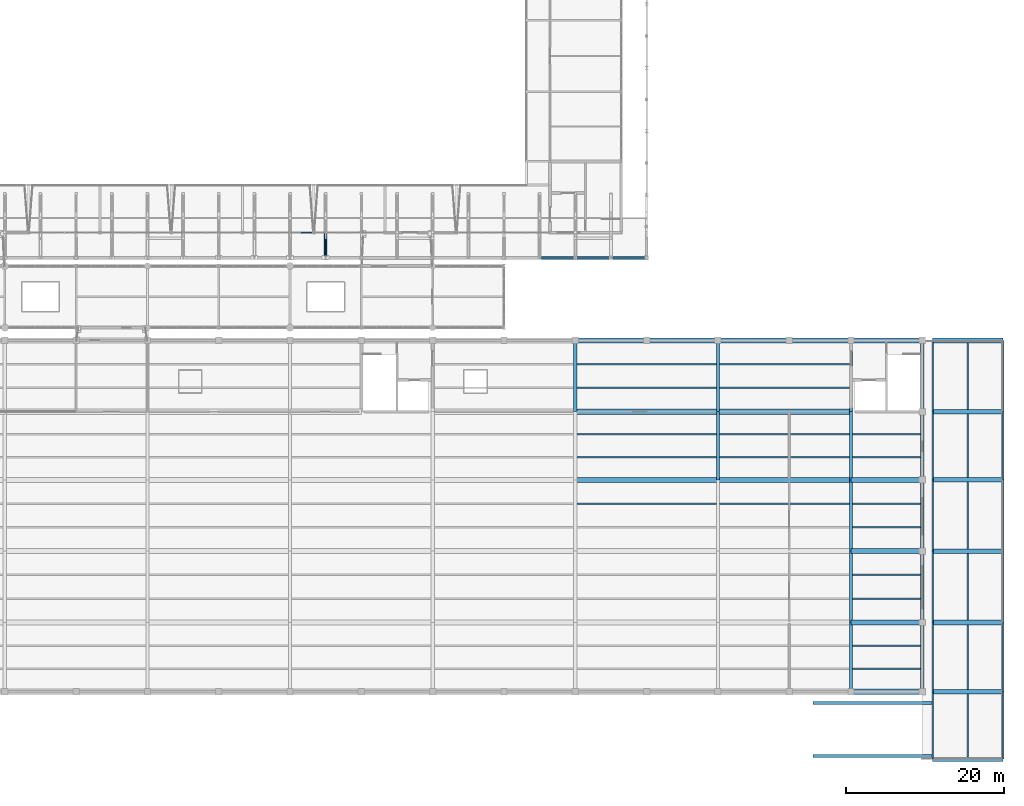
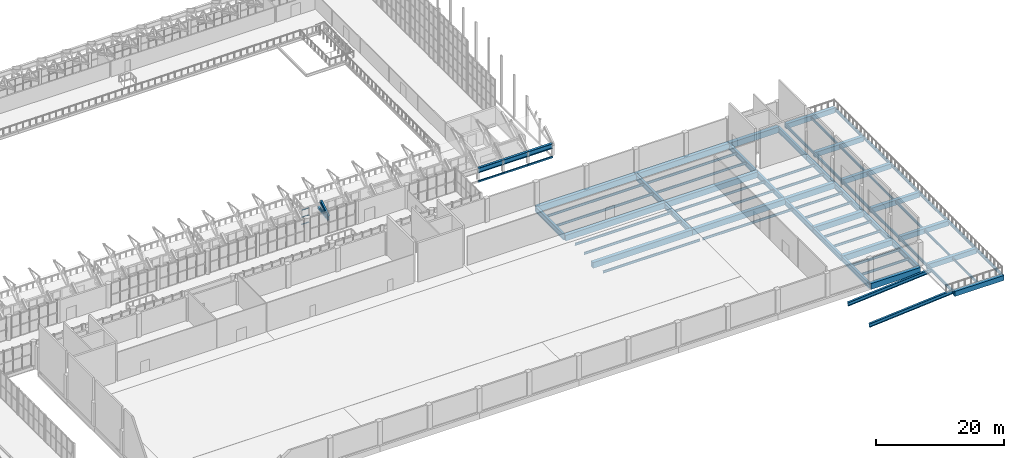
# One storey, part 77 of 134: 76 beams, 5 members, 1 element without a shape of its own.
"""IFC4 building model written with IfcOpenShell, lengths in metres."""

from ifc_helpers import new_model, si_unit, direction, frame, origin, origin_2d, place, context, subcontext, project, spatial, rectangle, hollow_rectangle, hollow_circle, i_section, extrude, material, layer, layer_set, material_profile, profile_set, type_object, element, aggregate, save


model = new_model("IFC4")

# Units and contexts
model_context = context("Model", 3, precision=1e-05, world=origin(), true_north=direction((0.0, 1.0)))
body_context = subcontext(model_context, "Body", "Model", "MODEL_VIEW")
ifc_project = project(units=[si_unit("LENGTHUNIT", "METRE"), si_unit("AREAUNIT", "SQUARE_METRE"), si_unit("VOLUMEUNIT", "CUBIC_METRE"), si_unit("PLANEANGLEUNIT", "RADIAN"), si_unit("MASSUNIT", "GRAM", prefix="KILO")], contexts=[model_context])

# Site, building, storey
site_placement = place(None, origin())
site = spatial("IfcSite", under=ifc_project, at=site_placement, CompositionType="ELEMENT")
building_placement = place(site_placement, origin())
building = spatial("IfcBuilding", under=site, at=building_placement, Name="Cazmaro Siding Exhibition Halls", CompositionType="ELEMENT")
storey_placement = place(building_placement, frame((0.0, 0.0, 12.0)))
storey = spatial("IfcBuildingStorey", under=building, at=storey_placement, Name="L02", CompositionType="ELEMENT", Elevation=12.0)

# Beams
ifc_material_1 = material(Name="Steel ASTM A992 Grade 50", Category="steel")
ifc_material_profile_1 = material_profile(ifc_material_1, i_section(OverallWidth=0.324951171875, OverallDepth=0.612060546875, WebThickness=0.012939453125, FlangeThickness=0.01904296875, at=origin_2d()), Name="W24X104")
ifc_profile_set_1 = profile_set([ifc_material_profile_1], Name="Steel ASTM A992 Grade 50")
beam_type_1 = type_object("IfcBeamType", Name="AR-02", PredefinedType="USERDEFINED", material=ifc_profile_set_1)
beam_1_placement = place(storey_placement, frame((130.5, 64.0, 2.300048828125), z_axis=(0.0, 0.843339173298, 0.537381650954), x_axis=(-1.0, 0.0, 0.0)))
element("IfcBeam", 1, at=beam_1_placement, inside=storey, type_object=beam_type_1, Name="Space frame barrel vault arched rib AR-02 BM-0991", ObjectType="ARCHED RIB", PredefinedType="USERDEFINED", context=body_context, shape_type="SweptSolid", body=[
    extrude(i_section(OverallWidth=0.324951171875, OverallDepth=0.612060546875, WebThickness=0.012939453125, FlangeThickness=0.01904296875, at=origin_2d()), origin(), (0.0, 0.0, 1.0), 2.96435546875),
])
ifc_material_2 = material(Name="Steel ASTM A992 Grade 50", Category="steel")
ifc_material_profile_2 = material_profile(ifc_material_2, i_section(OverallWidth=0.214111328125, OverallDepth=0.549072265625, WebThickness=0.014892578125, FlangeThickness=0.02392578125, at=origin_2d()), Name="W21X93")
ifc_profile_set_2 = profile_set([ifc_material_profile_2], Name="Steel ASTM A992 Grade 50")
beam_type_2 = type_object("IfcBeamType", Name="B-01", PredefinedType="BEAM", material=ifc_profile_set_2)
for number, where, z_axis, x_axis, name in (
    (2, (207.10009765625, 0.75, -0.5439453125), (0.0, 1.0, 0.0), (-1.0, 0.0, 0.0), "Beam B-01 BM-2416"),
    (3, (216.0, 0.75, -0.5439453125), (0.0, 1.0, 0.0), (-1.0, 0.0, 0.0), "Beam B-01 BM-2417"),
):
    element("IfcBeam", number, at=place(storey_placement, frame(where, z_axis=z_axis, x_axis=x_axis)), inside=storey, type_object=beam_type_2, Name=name, PredefinedType="BEAM", context=body_context, shape_type="SweptSolid", body=[
        extrude(i_section(OverallWidth=0.214111328125, OverallDepth=0.549072265625, WebThickness=0.014892578125, FlangeThickness=0.02392578125, at=origin_2d()), origin(), (0.0, 0.0, 1.0), 8.5),
    ])
for number, where, z_axis, x_axis, name in (
    (4, (207.10009765625, 9.25, -0.5439453125), (0.0, 1.0, 0.0), (-1.0, 0.0, 0.0), "Beam B-01 BM-2419"),
    (5, (216.0, 9.25, -0.5439453125), (0.0, 1.0, 0.0), (-1.0, 0.0, 0.0), "Beam B-01 BM-2420"),
):
    element("IfcBeam", number, at=place(storey_placement, frame(where, z_axis=z_axis, x_axis=x_axis)), inside=storey, type_object=beam_type_2, Name=name, PredefinedType="BEAM", context=body_context, shape_type="SweptSolid", body=[
        extrude(i_section(OverallWidth=0.214111328125, OverallDepth=0.549072265625, WebThickness=0.014892578125, FlangeThickness=0.02392578125, at=origin_2d()), origin(), (0.0, 0.0, 1.0), 8.75),
    ])
for number, where, z_axis, x_axis, name in (
    (6, (207.10009765625, 18.0, -0.5439453125), (0.0, 1.0, 0.0), (-1.0, 0.0, 0.0), "Beam B-01 BM-2422"),
    (7, (216.0, 18.0, -0.5439453125), (0.0, 1.0, 0.0), (-1.0, 0.0, 0.0), "Beam B-01 BM-2423"),
    (8, (207.10009765625, 27.0, -0.5439453125), (0.0, 1.0, 0.0), (-1.0, 0.0, 0.0), "Beam B-01 BM-2425"),
    (9, (216.0, 27.0, -0.5439453125), (0.0, 1.0, 0.0), (-1.0, 0.0, 0.0), "Beam B-01 BM-2426"),
):
    element("IfcBeam", number, at=place(storey_placement, frame(where, z_axis=z_axis, x_axis=x_axis)), inside=storey, type_object=beam_type_2, Name=name, PredefinedType="BEAM", context=body_context, shape_type="SweptSolid", body=[
        extrude(i_section(OverallWidth=0.214111328125, OverallDepth=0.549072265625, WebThickness=0.014892578125, FlangeThickness=0.02392578125, at=origin_2d()), origin(), (0.0, 0.0, 1.0), 9.0),
    ])
for number, where, z_axis, x_axis, name in (
    (10, (207.10009765625, 36.0, -0.5439453125), (0.0, 1.0, 0.0), (-1.0, 0.0, 0.0), "Beam B-01 BM-2428"),
    (11, (216.0, 36.0, -0.5439453125), (0.0, 1.0, 0.0), (-1.0, 0.0, 0.0), "Beam B-01 BM-2429"),
):
    element("IfcBeam", number, at=place(storey_placement, frame(where, z_axis=z_axis, x_axis=x_axis)), inside=storey, type_object=beam_type_2, Name=name, PredefinedType="BEAM", context=body_context, shape_type="SweptSolid", body=[
        extrude(i_section(OverallWidth=0.214111328125, OverallDepth=0.549072265625, WebThickness=0.014892578125, FlangeThickness=0.02392578125, at=origin_2d()), origin(), (0.0, 0.0, 1.0), 8.60009765625),
    ])
for number, where, z_axis, x_axis, name in (
    (12, (207.10009765625, 44.60009765625, -0.5439453125), (0.0, 1.0, 0.0), (-1.0, 0.0, 0.0), "Beam B-01 BM-2431"),
    (13, (216.0, 44.60009765625, -0.5439453125), (0.0, 1.0, 0.0), (-1.0, 0.0, 0.0), "Beam B-01 BM-2432"),
):
    element("IfcBeam", number, at=place(storey_placement, frame(where, z_axis=z_axis, x_axis=x_axis)), inside=storey, type_object=beam_type_2, Name=name, PredefinedType="BEAM", context=body_context, shape_type="SweptSolid", body=[
        extrude(i_section(OverallWidth=0.214111328125, OverallDepth=0.549072265625, WebThickness=0.014892578125, FlangeThickness=0.02392578125, at=origin_2d()), origin(), (0.0, 0.0, 1.0), 9.0),
    ])

# Curtain wall, members
ifc_material_3 = material(Name="Anodized Bronze Aluminum and Solar-Control Low-E Glazing", Category="aluminium")
ifc_layer = layer(ifc_material_3, 0.159912109375)
ifc_layer_set = layer_set([ifc_layer], Name="Anodized Bronze Aluminum and Solar-Control Low-E Glazing")
curtain_wall_type = type_object("IfcCurtainWallType", Name="CWS-04", PredefinedType="USERDEFINED", material=ifc_layer_set)
curtain_wall_placement = place(storey_placement, origin())
curtain_wall = element("IfcCurtainWall", 14, at=curtain_wall_placement, inside=storey, type_object=curtain_wall_type, Name="Clerestory Curtain Wall CWS-04 CW-032", ObjectType="CLERESTORY CURTAIN WALL", PredefinedType="USERDEFINED")
ifc_material_4 = material(Name="Anodized Bronze Extruded Aluminum", Category="aluminium")
ifc_material_profile_3 = material_profile(ifc_material_4, rectangle(XDim=0.139892578125, YDim=0.06005859375, at=origin_2d()), Name="CWT-04")
ifc_profile_set_3 = profile_set([ifc_material_profile_3], Name="Anodized Bronze Extruded Aluminum")
member_type_1 = type_object("IfcMemberType", Name="CWT-04", PredefinedType="MULLION", material=ifc_profile_set_3)
member_1_placement = place(storey_placement, frame((127.398681640625, 67.199951171875, 0.030029296875), z_axis=(1.0, 0.0, 0.0), x_axis=(0.0, 1.0, 0.0)))
member_1 = element("IfcMember", 15, at=member_1_placement, type_object=member_type_1, Name="CWS-04 transom 6.1", ObjectType="TRANSOM", PredefinedType="USERDEFINED", context=body_context, shape_type="SweptSolid", body=[
    extrude(rectangle(XDim=0.139892578125, YDim=0.06005859375, at=origin_2d()), origin(), (0.0, 0.0, 1.0), 1.34423828125),
])
member_2_placement = place(storey_placement, frame((127.398681640625, 67.199951171875, 1.39990234375), z_axis=(1.0, 0.0, 0.0), x_axis=(0.0, 1.0, 0.0)))
member_2 = element("IfcMember", 16, at=member_2_placement, type_object=member_type_1, Name="CWS-04 transom 6.2", ObjectType="TRANSOM", PredefinedType="USERDEFINED", context=body_context, shape_type="SweptSolid", body=[
    extrude(rectangle(XDim=0.139892578125, YDim=0.06005859375, at=origin_2d()), origin(), (0.0, 0.0, 1.0), 1.34423828125),
])
member_3_placement = place(storey_placement, frame((127.398681640625, 67.199951171875, 2.77001953125), z_axis=(1.0, 0.0, 0.0), x_axis=(0.0, 1.0, 0.0)))
member_3 = element("IfcMember", 17, at=member_3_placement, type_object=member_type_1, Name="CWS-04 transom 6.3", ObjectType="TRANSOM", PredefinedType="USERDEFINED", context=body_context, shape_type="SweptSolid", body=[
    extrude(rectangle(XDim=0.139892578125, YDim=0.06005859375, at=origin_2d()), origin(), (0.0, 0.0, 1.0), 1.34423828125),
])
aggregate(curtain_wall, [member_1, member_2, member_3])

# Beams
ifc_material_5 = material(Name="Steel ASTM A992 Grade 50", Category="steel")
ifc_material_profile_4 = material_profile(ifc_material_5, i_section(OverallWidth=0.424072265625, OverallDepth=0.947021484375, WebThickness=0.02392578125, FlangeThickness=0.04296875, at=origin_2d()), Name="W36X302")
ifc_profile_set_4 = profile_set([ifc_material_profile_4], Name="Steel ASTM A992 Grade 50")
beam_type_3 = type_object("IfcBeamType", Name="G-01", PredefinedType="USERDEFINED", material=ifc_profile_set_4)
for number, where, z_axis, x_axis, name in (
    (18, (157.5, 64.0, 1.826904296875), (1.0, 0.0, 0.0), (0.0, 1.0, 0.0), "Beam G-01 BM-0213"),
    (19, (162.0, 64.0, 1.826904296875), (1.0, 0.0, 0.0), (0.0, 1.0, 0.0), "Beam G-01 BM-0219"),
    (20, (166.5, 64.0, 1.826904296875), (1.0, 0.0, 0.0), (0.0, 1.0, 0.0), "Beam G-01 BM-0225"),
):
    element("IfcBeam", number, at=place(storey_placement, frame(where, z_axis=z_axis, x_axis=x_axis)), inside=storey, type_object=beam_type_3, Name=name, ObjectType="GIRDER", PredefinedType="USERDEFINED", context=body_context, shape_type="SweptSolid", body=[
        extrude(i_section(OverallWidth=0.424072265625, OverallDepth=0.947021484375, WebThickness=0.02392578125, FlangeThickness=0.04296875, at=origin_2d()), origin(), (0.0, 0.0, 1.0), 4.5),
    ])
ifc_material_6 = material(Name="Steel ASTM A992 Grade 50", Category="steel")
ifc_material_profile_5 = material_profile(ifc_material_6, i_section(OverallWidth=0.404052734375, OverallDepth=1.02099609375, WebThickness=0.02490234375, FlangeThickness=0.0458984375, at=origin_2d()), Name="W40X324")
ifc_profile_set_5 = profile_set([ifc_material_profile_5], Name="Steel ASTM A992 Grade 50")
beam_type_4 = type_object("IfcBeamType", Name="G-06", PredefinedType="USERDEFINED", material=ifc_profile_set_5)
beam_2_placement = place(storey_placement, frame((162.0, 44.60009765625, -0.81103515625), z_axis=(0.0, 1.0, 0.0), x_axis=(-1.0, 0.0, 0.0)))
element("IfcBeam", 21, at=beam_2_placement, inside=storey, type_object=beam_type_4, Name="Beam G-06 BM-1465", ObjectType="GIRDER", PredefinedType="USERDEFINED", context=body_context, shape_type="SweptSolid", body=[
    extrude(i_section(OverallWidth=0.404052734375, OverallDepth=1.02099609375, WebThickness=0.02490234375, FlangeThickness=0.0458984375, at=origin_2d()), origin(), (0.0, 0.0, 1.0), 9.0),
])
beam_3_placement = place(storey_placement, frame((180.0, 36.0, -0.81103515625), z_axis=(0.0, 1.0, 0.0), x_axis=(-1.0, 0.0, 0.0)))
element("IfcBeam", 22, at=beam_3_placement, inside=storey, type_object=beam_type_4, Name="Beam G-06 BM-1469", ObjectType="GIRDER", PredefinedType="USERDEFINED", context=body_context, shape_type="SweptSolid", body=[
    extrude(i_section(OverallWidth=0.404052734375, OverallDepth=1.02099609375, WebThickness=0.02490234375, FlangeThickness=0.0458984375, at=origin_2d()), origin(), (0.0, 0.0, 1.0), 8.60009765625),
])
beam_4_placement = place(storey_placement, frame((180.0, 44.60009765625, -0.81103515625), z_axis=(0.0, 1.0, 0.0), x_axis=(-1.0, 0.0, 0.0)))
element("IfcBeam", 23, at=beam_4_placement, inside=storey, type_object=beam_type_4, Name="Beam G-06 BM-1470", ObjectType="GIRDER", PredefinedType="USERDEFINED", context=body_context, shape_type="SweptSolid", body=[
    extrude(i_section(OverallWidth=0.404052734375, OverallDepth=1.02099609375, WebThickness=0.02490234375, FlangeThickness=0.0458984375, at=origin_2d()), origin(), (0.0, 0.0, 1.0), 9.0),
])
beam_5_placement = place(storey_placement, frame((196.800048828125, 9.25, -0.81103515625), z_axis=(0.0, 1.0, 0.0), x_axis=(-1.0, 0.0, 0.0)))
element("IfcBeam", 24, at=beam_5_placement, inside=storey, type_object=beam_type_4, Name="Beam G-06 BM-1471", ObjectType="GIRDER", PredefinedType="USERDEFINED", context=body_context, shape_type="SweptSolid", body=[
    extrude(i_section(OverallWidth=0.404052734375, OverallDepth=1.02099609375, WebThickness=0.02490234375, FlangeThickness=0.0458984375, at=origin_2d()), origin(), (0.0, 0.0, 1.0), 8.75),
])
for number, where, z_axis, x_axis, name in (
    (25, (196.800048828125, 18.0, -0.81103515625), (0.0, 1.0, 0.0), (-1.0, 0.0, 0.0), "Beam G-06 BM-1472"),
    (26, (196.800048828125, 27.0, -0.81103515625), (0.0, 1.0, 0.0), (-1.0, 0.0, 0.0), "Beam G-06 BM-1473"),
):
    element("IfcBeam", number, at=place(storey_placement, frame(where, z_axis=z_axis, x_axis=x_axis)), inside=storey, type_object=beam_type_4, Name=name, ObjectType="GIRDER", PredefinedType="USERDEFINED", context=body_context, shape_type="SweptSolid", body=[
        extrude(i_section(OverallWidth=0.404052734375, OverallDepth=1.02099609375, WebThickness=0.02490234375, FlangeThickness=0.0458984375, at=origin_2d()), origin(), (0.0, 0.0, 1.0), 9.0),
    ])
beam_6_placement = place(storey_placement, frame((196.800048828125, 36.0, -0.81103515625), z_axis=(0.0, 1.0, 0.0), x_axis=(-1.0, 0.0, 0.0)))
element("IfcBeam", 27, at=beam_6_placement, inside=storey, type_object=beam_type_4, Name="Beam G-06 BM-1474", ObjectType="GIRDER", PredefinedType="USERDEFINED", context=body_context, shape_type="SweptSolid", body=[
    extrude(i_section(OverallWidth=0.404052734375, OverallDepth=1.02099609375, WebThickness=0.02490234375, FlangeThickness=0.0458984375, at=origin_2d()), origin(), (0.0, 0.0, 1.0), 8.60009765625),
])
beam_7_placement = place(storey_placement, frame((196.800048828125, 44.60009765625, -0.81103515625), z_axis=(0.0, 1.0, 0.0), x_axis=(-1.0, 0.0, 0.0)))
element("IfcBeam", 28, at=beam_7_placement, inside=storey, type_object=beam_type_4, Name="Beam G-06 BM-1475", ObjectType="GIRDER", PredefinedType="USERDEFINED", context=body_context, shape_type="SweptSolid", body=[
    extrude(i_section(OverallWidth=0.404052734375, OverallDepth=1.02099609375, WebThickness=0.02490234375, FlangeThickness=0.0458984375, at=origin_2d()), origin(), (0.0, 0.0, 1.0), 9.0),
])
beam_8_placement = place(storey_placement, frame((205.800048828125, 9.25, -0.81103515625), z_axis=(0.0, 1.0, 0.0), x_axis=(-1.0, 0.0, 0.0)))
element("IfcBeam", 29, at=beam_8_placement, inside=storey, type_object=beam_type_4, Name="Beam G-06 BM-1476", ObjectType="GIRDER", PredefinedType="USERDEFINED", context=body_context, shape_type="SweptSolid", body=[
    extrude(i_section(OverallWidth=0.404052734375, OverallDepth=1.02099609375, WebThickness=0.02490234375, FlangeThickness=0.0458984375, at=origin_2d()), origin(), (0.0, 0.0, 1.0), 8.75),
])
for number, where, z_axis, x_axis, name in (
    (30, (205.800048828125, 18.0, -0.81103515625), (0.0, 1.0, 0.0), (-1.0, 0.0, 0.0), "Beam G-06 BM-1477"),
    (31, (205.800048828125, 27.0, -0.81103515625), (0.0, 1.0, 0.0), (-1.0, 0.0, 0.0), "Beam G-06 BM-1478"),
):
    element("IfcBeam", number, at=place(storey_placement, frame(where, z_axis=z_axis, x_axis=x_axis)), inside=storey, type_object=beam_type_4, Name=name, ObjectType="GIRDER", PredefinedType="USERDEFINED", context=body_context, shape_type="SweptSolid", body=[
        extrude(i_section(OverallWidth=0.404052734375, OverallDepth=1.02099609375, WebThickness=0.02490234375, FlangeThickness=0.0458984375, at=origin_2d()), origin(), (0.0, 0.0, 1.0), 9.0),
    ])
beam_9_placement = place(storey_placement, frame((205.800048828125, 36.0, -0.81103515625), z_axis=(0.0, 1.0, 0.0), x_axis=(-1.0, 0.0, 0.0)))
element("IfcBeam", 32, at=beam_9_placement, inside=storey, type_object=beam_type_4, Name="Beam G-06 BM-1479", ObjectType="GIRDER", PredefinedType="USERDEFINED", context=body_context, shape_type="SweptSolid", body=[
    extrude(i_section(OverallWidth=0.404052734375, OverallDepth=1.02099609375, WebThickness=0.02490234375, FlangeThickness=0.0458984375, at=origin_2d()), origin(), (0.0, 0.0, 1.0), 8.60009765625),
])
beam_10_placement = place(storey_placement, frame((205.800048828125, 44.60009765625, -0.81103515625), z_axis=(0.0, 1.0, 0.0), x_axis=(-1.0, 0.0, 0.0)))
element("IfcBeam", 33, at=beam_10_placement, inside=storey, type_object=beam_type_4, Name="Beam G-06 BM-1480", ObjectType="GIRDER", PredefinedType="USERDEFINED", context=body_context, shape_type="SweptSolid", body=[
    extrude(i_section(OverallWidth=0.404052734375, OverallDepth=1.02099609375, WebThickness=0.02490234375, FlangeThickness=0.0458984375, at=origin_2d()), origin(), (0.0, 0.0, 1.0), 9.0),
])
ifc_material_7 = material(Name="Concrete f'c 45 MPa", Category="concrete")
ifc_material_profile_6 = material_profile(ifc_material_7, rectangle(XDim=0.64990234375, YDim=1.10009765625, at=origin_2d()), Name="RC1100X650")
ifc_profile_set_6 = profile_set([ifc_material_profile_6], Name="Concrete f'c 45 MPa")
beam_type_5 = type_object("IfcBeamType", Name="G-08", PredefinedType="USERDEFINED", material=ifc_profile_set_6)
for number, where, z_axis, x_axis, name in (
    (34, (162.0, 36.0, -0.85009765625), (1.0, 0.0, 0.0), (0.0, 1.0, 0.0), "Beam G-08 BM-1394"),
    (35, (162.0, 44.60009765625, -0.85009765625), (1.0, 0.0, 0.0), (0.0, 1.0, 0.0), "Beam G-08 BM-1395"),
    (36, (162.0, 53.60009765625, -0.85009765625), (1.0, 0.0, 0.0), (0.0, 1.0, 0.0), "Beam G-08 BM-1396"),
):
    element("IfcBeam", number, at=place(storey_placement, frame(where, z_axis=z_axis, x_axis=x_axis)), inside=storey, type_object=beam_type_5, Name=name, ObjectType="GIRDER", PredefinedType="USERDEFINED", context=body_context, shape_type="SweptSolid", body=[
        extrude(rectangle(XDim=0.64990234375, YDim=1.10009765625, at=origin_2d()), origin(), (0.0, 0.0, 1.0), 18.0),
    ])
for number, where, z_axis, x_axis, name in (
    (37, (180.0, 36.0, -0.85009765625), (1.0, 0.0, 0.0), (0.0, 1.0, 0.0), "Beam G-08 BM-1410"),
    (38, (180.0, 44.60009765625, -0.85009765625), (1.0, 0.0, 0.0), (0.0, 1.0, 0.0), "Beam G-08 BM-1411"),
    (39, (180.0, 53.60009765625, -0.85009765625), (1.0, 0.0, 0.0), (0.0, 1.0, 0.0), "Beam G-08 BM-1412"),
):
    element("IfcBeam", number, at=place(storey_placement, frame(where, z_axis=z_axis, x_axis=x_axis)), inside=storey, type_object=beam_type_5, Name=name, ObjectType="GIRDER", PredefinedType="USERDEFINED", context=body_context, shape_type="SweptSolid", body=[
        extrude(rectangle(XDim=0.64990234375, YDim=1.10009765625, at=origin_2d()), origin(), (0.0, 0.0, 1.0), 16.800048828125),
    ])
for number, where, z_axis, x_axis, name in (
    (40, (196.800048828125, 9.25, -0.85009765625), (1.0, 0.0, 0.0), (0.0, 1.0, 0.0), "Beam G-08 BM-1423"),
    (41, (196.800048828125, 18.0, -0.85009765625), (1.0, 0.0, 0.0), (0.0, 1.0, 0.0), "Beam G-08 BM-1424"),
    (42, (196.800048828125, 27.0, -0.85009765625), (1.0, 0.0, 0.0), (0.0, 1.0, 0.0), "Beam G-08 BM-1425"),
    (43, (196.800048828125, 36.0, -0.85009765625), (1.0, 0.0, 0.0), (0.0, 1.0, 0.0), "Beam G-08 BM-1426"),
    (44, (196.800048828125, 53.60009765625, -0.85009765625), (1.0, 0.0, 0.0), (0.0, 1.0, 0.0), "Beam G-08 BM-1427"),
):
    element("IfcBeam", number, at=place(storey_placement, frame(where, z_axis=z_axis, x_axis=x_axis)), inside=storey, type_object=beam_type_5, Name=name, ObjectType="GIRDER", PredefinedType="USERDEFINED", context=body_context, shape_type="SweptSolid", body=[
        extrude(rectangle(XDim=0.64990234375, YDim=1.10009765625, at=origin_2d()), origin(), (0.0, 0.0, 1.0), 9.0),
    ])
ifc_material_8 = material(Name="Steel ASTM A992 Grade 50", Category="steel")
ifc_material_profile_7 = material_profile(ifc_material_8, i_section(OverallWidth=0.35791015625, OverallDepth=0.7060546875, WebThickness=0.01806640625, FlangeThickness=0.030029296875, at=origin_2d()), Name="W27X178")
ifc_profile_set_7 = profile_set([ifc_material_profile_7], Name="Steel ASTM A992 Grade 50")
beam_type_6 = type_object("IfcBeamType", Name="G-10", PredefinedType="USERDEFINED", material=ifc_profile_set_7)
for number, where, z_axis, x_axis, name in (
    (45, (192.0, 1.14990234375, -1.8310546875), (0.996845952584, 0.0, 0.079360864519), (0.0, 1.0, 0.0), "Truck viaduct sloped stringer girder G-10 BM-2465"),
    (46, (192.0, 7.85009765625, -1.8310546875), (0.996845952584, 0.0, 0.079360864519), (0.0, 1.0, 0.0), "Truck viaduct sloped stringer girder G-10 BM-2466"),
):
    element("IfcBeam", number, at=place(storey_placement, frame(where, z_axis=z_axis, x_axis=x_axis)), inside=storey, type_object=beam_type_6, Name=name, ObjectType="GIRDER", PredefinedType="USERDEFINED", context=body_context, shape_type="SweptSolid", body=[
        extrude(i_section(OverallWidth=0.35791015625, OverallDepth=0.7060546875, WebThickness=0.01806640625, FlangeThickness=0.030029296875, at=origin_2d()), origin(), (0.0, 0.0, 1.0), 15.14794921875),
    ])
ifc_material_9 = material(Name="Concrete f'c 45 MPa", Category="concrete")
ifc_material_profile_8 = material_profile(ifc_material_9, rectangle(XDim=0.60009765625, YDim=0.949951171875, at=origin_2d()), Name="RC950X600")
ifc_profile_set_8 = profile_set([ifc_material_profile_8], Name="Concrete f'c 45 MPa")
beam_type_7 = type_object("IfcBeamType", Name="G-11", PredefinedType="USERDEFINED", material=ifc_profile_set_8)
for number, where, z_axis, x_axis, name in (
    (47, (207.10009765625, 0.75, -0.7451171875), (1.0, 0.0, 0.0), (0.0, 1.0, 0.0), "Beam G-11 BM-2409"),
    (48, (207.10009765625, 9.25, -0.7451171875), (1.0, 0.0, 0.0), (0.0, 1.0, 0.0), "Beam G-11 BM-2410"),
    (49, (207.10009765625, 18.0, -0.7451171875), (1.0, 0.0, 0.0), (0.0, 1.0, 0.0), "Beam G-11 BM-2411"),
    (50, (207.10009765625, 27.0, -0.7451171875), (1.0, 0.0, 0.0), (0.0, 1.0, 0.0), "Beam G-11 BM-2412"),
    (51, (207.10009765625, 36.0, -0.7451171875), (1.0, 0.0, 0.0), (0.0, 1.0, 0.0), "Beam G-11 BM-2413"),
    (52, (207.10009765625, 44.60009765625, -0.7451171875), (1.0, 0.0, 0.0), (0.0, 1.0, 0.0), "Beam G-11 BM-2414"),
    (53, (207.10009765625, 53.60009765625, -0.7451171875), (1.0, 0.0, 0.0), (0.0, 1.0, 0.0), "Beam G-11 BM-2415"),
):
    element("IfcBeam", number, at=place(storey_placement, frame(where, z_axis=z_axis, x_axis=x_axis)), inside=storey, type_object=beam_type_7, Name=name, ObjectType="GIRDER", PredefinedType="USERDEFINED", context=body_context, shape_type="SweptSolid", body=[
        extrude(rectangle(XDim=0.60009765625, YDim=0.949951171875, at=origin_2d()), origin(), (0.0, 0.0, 1.0), 8.89990234375),
    ])
ifc_material_10 = material(Name="Steel ASTM A992 Grade 50", Category="steel")
ifc_material_profile_9 = material_profile(ifc_material_10, i_section(OverallWidth=0.19091796875, OverallDepth=0.45703125, WebThickness=0.009033203125, FlangeThickness=0.013916015625, at=origin_2d()), Name="W18X50")
ifc_profile_set_9 = profile_set([ifc_material_profile_9], Name="Steel ASTM A992 Grade 50")
beam_type_8 = type_object("IfcBeamType", Name="J-01", PredefinedType="JOIST", material=ifc_profile_set_9)
for number, where, z_axis, x_axis, name in (
    (54, (162.201904296875, 33.0, -0.529052734375), (1.0, 0.0, 0.0), (0.0, 1.0, 0.0), "Beam J-01 BM-1402"),
    (55, (162.201904296875, 38.866943359375, -0.529052734375), (1.0, 0.0, 0.0), (0.0, 1.0, 0.0), "Beam J-01 BM-1403"),
    (56, (162.201904296875, 41.73291015625, -0.529052734375), (1.0, 0.0, 0.0), (0.0, 1.0, 0.0), "Beam J-01 BM-1404"),
    (57, (162.201904296875, 47.60009765625, -0.529052734375), (1.0, 0.0, 0.0), (0.0, 1.0, 0.0), "Beam J-01 BM-1405"),
    (58, (162.201904296875, 50.60009765625, -0.529052734375), (1.0, 0.0, 0.0), (0.0, 1.0, 0.0), "Beam J-01 BM-1406"),
):
    element("IfcBeam", number, at=place(storey_placement, frame(where, z_axis=z_axis, x_axis=x_axis)), inside=storey, type_object=beam_type_8, Name=name, PredefinedType="JOIST", context=body_context, shape_type="SweptSolid", body=[
        extrude(i_section(OverallWidth=0.19091796875, OverallDepth=0.45703125, WebThickness=0.009033203125, FlangeThickness=0.013916015625, at=origin_2d()), origin(), (0.0, 0.0, 1.0), 17.59619140625),
    ])
for number, where, z_axis, x_axis, name in (
    (59, (180.201904296875, 33.0, -0.529052734375), (1.0, 0.0, 0.0), (0.0, 1.0, 0.0), "Beam J-01 BM-1418"),
    (60, (180.201904296875, 38.866943359375, -0.529052734375), (1.0, 0.0, 0.0), (0.0, 1.0, 0.0), "Beam J-01 BM-1419"),
    (61, (180.201904296875, 41.73291015625, -0.529052734375), (1.0, 0.0, 0.0), (0.0, 1.0, 0.0), "Beam J-01 BM-1420"),
    (62, (180.201904296875, 47.60009765625, -0.529052734375), (1.0, 0.0, 0.0), (0.0, 1.0, 0.0), "Beam J-01 BM-1421"),
    (63, (180.201904296875, 50.60009765625, -0.529052734375), (1.0, 0.0, 0.0), (0.0, 1.0, 0.0), "Beam J-01 BM-1422"),
):
    element("IfcBeam", number, at=place(storey_placement, frame(where, z_axis=z_axis, x_axis=x_axis)), inside=storey, type_object=beam_type_8, Name=name, PredefinedType="JOIST", context=body_context, shape_type="SweptSolid", body=[
        extrude(i_section(OverallWidth=0.19091796875, OverallDepth=0.45703125, WebThickness=0.009033203125, FlangeThickness=0.013916015625, at=origin_2d()), origin(), (0.0, 0.0, 1.0), 16.39599609375),
    ])
for number, where, z_axis, x_axis, name in (
    (64, (197.001953125, 12.1669921875, -0.529052734375), (1.0, 0.0, 0.0), (0.0, 1.0, 0.0), "Beam J-01 BM-1428"),
    (65, (197.001953125, 15.0830078125, -0.529052734375), (1.0, 0.0, 0.0), (0.0, 1.0, 0.0), "Beam J-01 BM-1429"),
    (66, (197.001953125, 21.0, -0.529052734375), (1.0, 0.0, 0.0), (0.0, 1.0, 0.0), "Beam J-01 BM-1430"),
    (67, (197.001953125, 24.0, -0.529052734375), (1.0, 0.0, 0.0), (0.0, 1.0, 0.0), "Beam J-01 BM-1431"),
    (68, (197.001953125, 30.0, -0.529052734375), (1.0, 0.0, 0.0), (0.0, 1.0, 0.0), "Beam J-01 BM-1432"),
    (69, (197.001953125, 33.0, -0.529052734375), (1.0, 0.0, 0.0), (0.0, 1.0, 0.0), "Beam J-01 BM-1433"),
    (70, (197.001953125, 38.866943359375, -0.529052734375), (1.0, 0.0, 0.0), (0.0, 1.0, 0.0), "Beam J-01 BM-1434"),
    (71, (197.001953125, 41.73291015625, -0.529052734375), (1.0, 0.0, 0.0), (0.0, 1.0, 0.0), "Beam J-01 BM-1435"),
):
    element("IfcBeam", number, at=place(storey_placement, frame(where, z_axis=z_axis, x_axis=x_axis)), inside=storey, type_object=beam_type_8, Name=name, PredefinedType="JOIST", context=body_context, shape_type="SweptSolid", body=[
        extrude(i_section(OverallWidth=0.19091796875, OverallDepth=0.45703125, WebThickness=0.009033203125, FlangeThickness=0.013916015625, at=origin_2d()), origin(), (0.0, 0.0, 1.0), 8.595947265625),
    ])
beam_11_placement = place(storey_placement, frame((211.550048828125, 1.050048828125, -0.498046875), z_axis=(0.0, 1.0, 0.0), x_axis=(-1.0, 0.0, 0.0)))
element("IfcBeam", 72, at=beam_11_placement, inside=storey, type_object=beam_type_8, Name="Beam J-01 BM-2418", PredefinedType="JOIST", context=body_context, shape_type="SweptSolid", body=[
    extrude(i_section(OverallWidth=0.19091796875, OverallDepth=0.45703125, WebThickness=0.009033203125, FlangeThickness=0.013916015625, at=origin_2d()), origin(), (0.0, 0.0, 1.0), 7.89990234375),
])
beam_12_placement = place(storey_placement, frame((211.550048828125, 9.550048828125, -0.498046875), z_axis=(0.0, 1.0, 0.0), x_axis=(-1.0, 0.0, 0.0)))
element("IfcBeam", 73, at=beam_12_placement, inside=storey, type_object=beam_type_8, Name="Beam J-01 BM-2421", PredefinedType="JOIST", context=body_context, shape_type="SweptSolid", body=[
    extrude(i_section(OverallWidth=0.19091796875, OverallDepth=0.45703125, WebThickness=0.009033203125, FlangeThickness=0.013916015625, at=origin_2d()), origin(), (0.0, 0.0, 1.0), 8.14990234375),
])
for number, where, z_axis, x_axis, name in (
    (74, (211.550048828125, 18.300048828125, -0.498046875), (0.0, 1.0, 0.0), (-1.0, 0.0, 0.0), "Beam J-01 BM-2424"),
    (75, (211.550048828125, 27.300048828125, -0.498046875), (0.0, 1.0, 0.0), (-1.0, 0.0, 0.0), "Beam J-01 BM-2427"),
):
    element("IfcBeam", number, at=place(storey_placement, frame(where, z_axis=z_axis, x_axis=x_axis)), inside=storey, type_object=beam_type_8, Name=name, PredefinedType="JOIST", context=body_context, shape_type="SweptSolid", body=[
        extrude(i_section(OverallWidth=0.19091796875, OverallDepth=0.45703125, WebThickness=0.009033203125, FlangeThickness=0.013916015625, at=origin_2d()), origin(), (0.0, 0.0, 1.0), 8.39990234375),
    ])
beam_13_placement = place(storey_placement, frame((211.550048828125, 36.300048828125, -0.498046875), z_axis=(0.0, 1.0, 0.0), x_axis=(-1.0, 0.0, 0.0)))
element("IfcBeam", 76, at=beam_13_placement, inside=storey, type_object=beam_type_8, Name="Beam J-01 BM-2430", PredefinedType="JOIST", context=body_context, shape_type="SweptSolid", body=[
    extrude(i_section(OverallWidth=0.19091796875, OverallDepth=0.45703125, WebThickness=0.009033203125, FlangeThickness=0.013916015625, at=origin_2d()), origin(), (0.0, 0.0, 1.0), 8.0),
])
beam_14_placement = place(storey_placement, frame((211.550048828125, 44.89990234375, -0.498046875), z_axis=(0.0, 1.0, 0.0), x_axis=(-1.0, 0.0, 0.0)))
element("IfcBeam", 77, at=beam_14_placement, inside=storey, type_object=beam_type_8, Name="Beam J-01 BM-2433", PredefinedType="JOIST", context=body_context, shape_type="SweptSolid", body=[
    extrude(i_section(OverallWidth=0.19091796875, OverallDepth=0.45703125, WebThickness=0.009033203125, FlangeThickness=0.013916015625, at=origin_2d()), origin(), (0.0, 0.0, 1.0), 8.400146484375),
])
ifc_material_11 = material(Name="Steel ASTM A500 Grade C", Category="steel")
ifc_material_profile_10 = material_profile(ifc_material_11, hollow_rectangle(XDim=0.202880859375, YDim=0.304931640625, WallThickness=0.011962890625, at=origin_2d()), Name="HSS12X8X1/2")
ifc_profile_set_10 = profile_set([ifc_material_profile_10], Name="Steel ASTM A500 Grade C")
beam_type_9 = type_object("IfcBeamType", Name="SP-01", PredefinedType="SPANDREL", material=ifc_profile_set_10)
for number, where, z_axis, x_axis, name in (
    (78, (157.5, 64.0, -0.373046875), (1.0, 0.0, 0.0), (0.0, 1.0, 0.0), "Beam SP-01 BM-0212"),
    (79, (162.0, 64.0, -0.373046875), (1.0, 0.0, 0.0), (0.0, 1.0, 0.0), "Beam SP-01 BM-0218"),
    (80, (166.5, 64.0, -0.373046875), (1.0, 0.0, 0.0), (0.0, 1.0, 0.0), "Beam SP-01 BM-0224"),
):
    element("IfcBeam", number, at=place(storey_placement, frame(where, z_axis=z_axis, x_axis=x_axis)), inside=storey, type_object=beam_type_9, Name=name, PredefinedType="SPANDREL", context=body_context, shape_type="SweptSolid", body=[
        extrude(hollow_rectangle(XDim=0.202880859375, YDim=0.304931640625, WallThickness=0.011962890625, at=origin_2d()), origin(), (0.0, 0.0, 1.0), 4.5),
    ])

# Members
ifc_material_12 = material(Name="Steel ASTM A992 Grade 50", Category="steel")
ifc_material_profile_11 = material_profile(ifc_material_12, i_section(OverallWidth=0.37109375, OverallDepth=0.364013671875, WebThickness=0.012939453125, FlangeThickness=0.02197265625, at=origin_2d()), Name="W14X109")
ifc_profile_set_11 = profile_set([ifc_material_profile_11], Name="Steel ASTM A992 Grade 50")
member_type_2 = type_object("IfcMemberType", Name="TC-06", PredefinedType="CHORD", material=ifc_profile_set_11)
member_4_placement = place(storey_placement, frame((130.5, 64.0, 1.800048828125), z_axis=(0.0, 0.988252010809, 0.152833121839), x_axis=(-1.0, 0.0, 0.0)))
element("IfcMember", 81, at=member_4_placement, inside=storey, type_object=member_type_2, Name="Space frame barrel vault bottom chord TC-06 MEM-1302", PredefinedType="CHORD", context=body_context, shape_type="SweptSolid", body=[
    extrude(i_section(OverallWidth=0.37109375, OverallDepth=0.364013671875, WebThickness=0.012939453125, FlangeThickness=0.02197265625, at=origin_2d()), origin(), (0.0, 0.0, 1.0), 3.309814453125),
])
ifc_material_13 = material(Name="Steel ASTM A500 Grade C", Category="steel")
ifc_material_profile_12 = material_profile(ifc_material_13, hollow_circle(Radius=0.109619140625, WallThickness=0.012939453125, at=origin_2d()), Name="PIPE8XS")
ifc_profile_set_12 = profile_set([ifc_material_profile_12], Name="Steel ASTM A500 Grade C")
member_type_3 = type_object("IfcMemberType", Name="WB-01", PredefinedType="BRACE", material=ifc_profile_set_12)
member_5_placement = place(storey_placement, frame((130.5, 64.0, 2.300048828125), z_axis=(0.0, 0.999998395604, 0.001791309262), x_axis=(-1.0, 0.0, 0.0)))
element("IfcMember", 82, at=member_5_placement, inside=storey, type_object=member_type_3, Name="Space frame barrel vault diagonal WB-01 MEM-1303", PredefinedType="BRACE", context=body_context, shape_type="SweptSolid", body=[
    extrude(hollow_circle(Radius=0.109619140625, WallThickness=0.012939453125, at=origin_2d()), origin(), (0.0, 0.0, 1.0), 3.27099609375),
])

save(model, "model.ifc")
